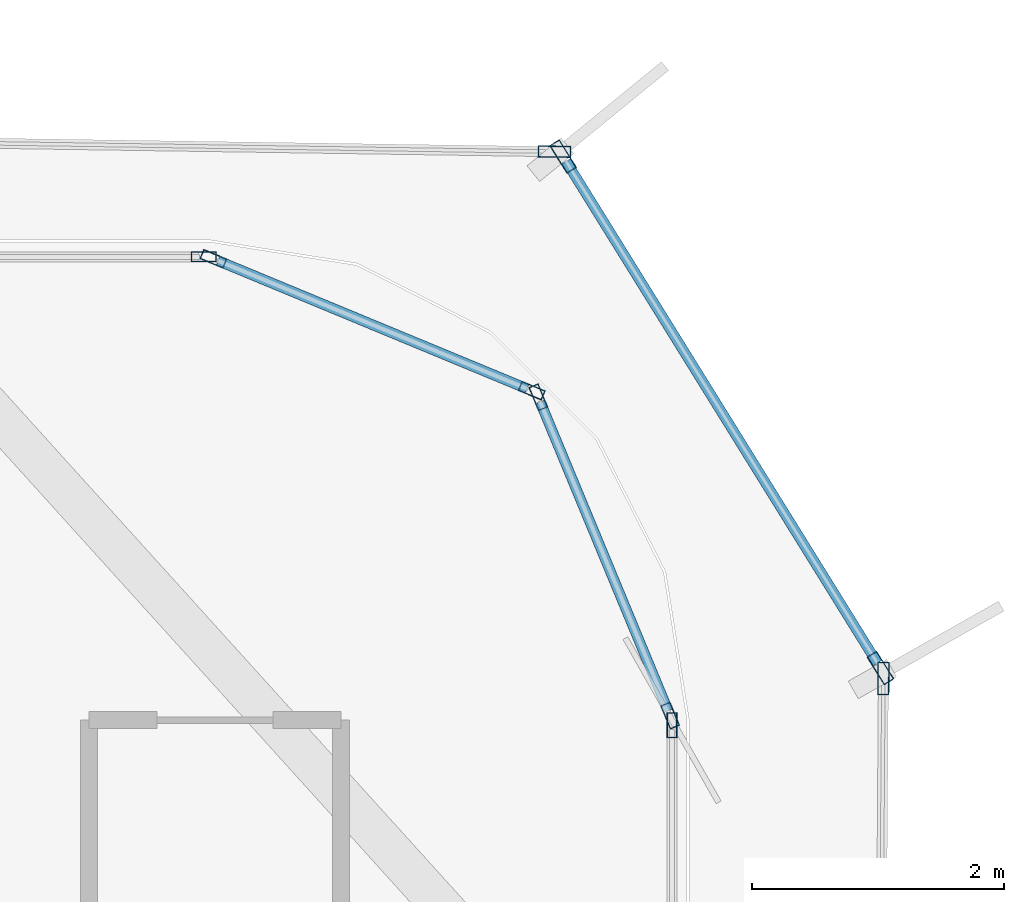
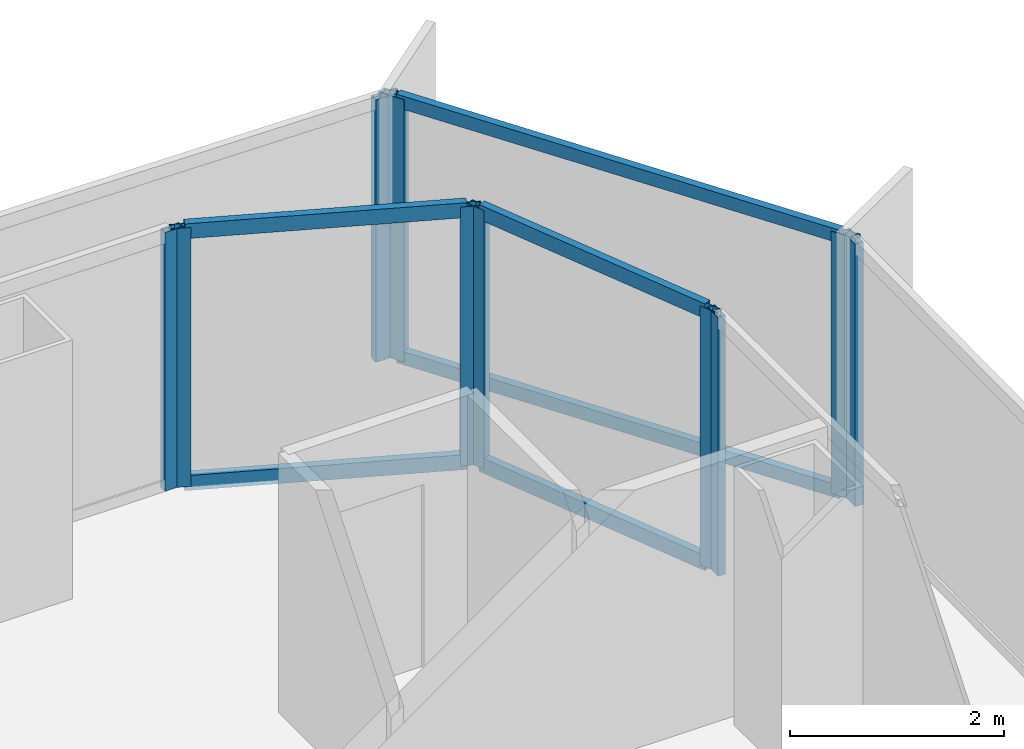
# One storey, part 14 of 21: 16 members, 7 elements without a shape of their own.
"""IFC4 building model written with IfcOpenShell, lengths in metres."""

from ifc_helpers import new_model, si_unit, direction, frame, origin, origin_2d, place, context, subcontext, project, spatial, hollow_rectangle, extrude, source, transform, mapped, material, layer, layer_set, material_profile, profile_set, type_object, element, aggregate, save


model = new_model("IFC4")

# Units and contexts
model_context = context("Model", 3, precision=1e-05, world=origin(), true_north=direction((0.0, 1.0)))
body_context = subcontext(model_context, "Body", "Model", "MODEL_VIEW")
ifc_project = project(units=[si_unit("LENGTHUNIT", "METRE"), si_unit("AREAUNIT", "SQUARE_METRE"), si_unit("VOLUMEUNIT", "CUBIC_METRE"), si_unit("PLANEANGLEUNIT", "RADIAN"), si_unit("MASSUNIT", "GRAM", prefix="KILO")], contexts=[model_context])

# Site, building, storey
site_placement = place(None, origin())
site = spatial("IfcSite", under=ifc_project, at=site_placement, CompositionType="ELEMENT")
building_placement = place(site_placement, origin())
building = spatial("IfcBuilding", under=site, at=building_placement, Name="Kolveth Station Tower", CompositionType="ELEMENT")
storey_placement = place(building_placement, frame((0.0, 0.0, 127.89990234375)))
storey = spatial("IfcBuildingStorey", under=building, at=storey_placement, Name="L35", CompositionType="ELEMENT", Elevation=127.89990234375)

# Curtain wall, members
ifc_material_1 = material(Name="Aluminium 6063-T6 and low-E dark glass", Category="aluminium")
ifc_layer_1 = layer(ifc_material_1, 0.18994140625)
ifc_layer_set_1 = layer_set([ifc_layer_1], Name="Aluminium 6063-T6 and low-E dark glass")
curtain_wall_type_1 = type_object("IfcCurtainWallType", Name="CurtainWall_CW-Z2", PredefinedType="NOTDEFINED", material=ifc_layer_set_1)
curtain_wall_1_placement = place(storey_placement, origin())
curtain_wall_1 = element("IfcCurtainWall", 1, at=curtain_wall_1_placement, inside=storey, type_object=curtain_wall_type_1, Name="L35 Inner Thermal Curtain Wall 4", PredefinedType="NOTDEFINED")
ifc_material_2 = material(Name="Black anodized aluminium 6063-T6", Category="aluminium")
ifc_material_profile_1 = material_profile(ifc_material_2, hollow_rectangle(XDim=0.080078125, YDim=0.169921875, WallThickness=0.0048828125, at=origin_2d()), Name="ALU-80x170x5")
ifc_profile_set_1 = profile_set([ifc_material_profile_1], Name="Black anodized aluminium 6063-T6")
member_type_1 = type_object("IfcMemberType", Name="Transom_TR2", PredefinedType="USERDEFINED", material=ifc_profile_set_1)
shared_shape_1 = source(origin(), body_context, "Body", "SweptSolid", [
    extrude(hollow_rectangle(XDim=0.080078125, YDim=0.169921875, WallThickness=0.0048828125, at=origin_2d()), origin(), (0.0, 0.0, 1.0), 2.656494140625),
])
member_1_placement = place(storey_placement, frame((46.849365234375, 31.573974609375, 0.0400390625), z_axis=(-0.382676455475, 0.923882422403, 0.0), x_axis=(-0.923882422403, -0.382676455475, 0.0)))
member_1 = element("IfcMember", 2, at=member_1_placement, type_object=member_type_1, Name="CW-Z2 transom 1.1", ObjectType="TRANSOM", PredefinedType="USERDEFINED", context=body_context, shape_type="MappedRepresentation", body=[
    mapped(shared_shape_1, transform((0.0, 0.0, 0.0), x_axis=(1.0, 0.0, 0.0), y_axis=(0.0, 1.0, 0.0), z_axis=(0.0, 0.0, 1.0), scale=1.0)),
])
member_2_placement = place(storey_placement, frame((46.849365234375, 31.573974609375, 2.91015625), z_axis=(-0.382676455475, 0.923882422403, 0.0), x_axis=(-0.923882422403, -0.382676455475, 0.0)))
member_2 = element("IfcMember", 3, at=member_2_placement, type_object=member_type_1, Name="CW-Z2 transom 1.2", ObjectType="TRANSOM", PredefinedType="USERDEFINED", context=body_context, shape_type="MappedRepresentation", body=[
    mapped(shared_shape_1, transform((0.0, 0.0, 0.0), x_axis=(1.0, 0.0, 0.0), y_axis=(0.0, 1.0, 0.0), z_axis=(0.0, 0.0, 1.0), scale=1.0)),
])

curtain_wall_2_placement = place(storey_placement, origin())
curtain_wall_2 = element("IfcCurtainWall", 4, at=curtain_wall_2_placement, inside=storey, type_object=curtain_wall_type_1, Name="L35 Inner Thermal Curtain Wall 5", PredefinedType="NOTDEFINED")
member_3_placement = place(storey_placement, frame((45.728271484375, 34.1328125, 0.0400390625), z_axis=(-0.923882422403, 0.382676455475, 0.0), x_axis=(-0.382676455475, -0.923882422403, 0.0)))
member_3 = element("IfcMember", 5, at=member_3_placement, type_object=member_type_1, Name="CW-Z2 transom 1.1", ObjectType="TRANSOM", PredefinedType="USERDEFINED", context=body_context, shape_type="MappedRepresentation", body=[
    mapped(shared_shape_1, transform((0.0, 0.0, 0.0), x_axis=(1.0, 0.0, 0.0), y_axis=(0.0, 1.0, 0.0), z_axis=(0.0, 0.0, 1.0), scale=1.0)),
])
member_4_placement = place(storey_placement, frame((45.728271484375, 34.1328125, 2.91015625), z_axis=(-0.923882422403, 0.382676455475, 0.0), x_axis=(-0.382676455475, -0.923882422403, 0.0)))
member_4 = element("IfcMember", 6, at=member_4_placement, type_object=member_type_1, Name="CW-Z2 transom 1.2", ObjectType="TRANSOM", PredefinedType="USERDEFINED", context=body_context, shape_type="MappedRepresentation", body=[
    mapped(shared_shape_1, transform((0.0, 0.0, 0.0), x_axis=(1.0, 0.0, 0.0), y_axis=(0.0, 1.0, 0.0), z_axis=(0.0, 0.0, 1.0), scale=1.0)),
])

# Curtain wall, member
ifc_material_3 = material(Name="Black anodized aluminium 6063-T6 and dark solar glass", Category="aluminium")
ifc_layer_2 = layer(ifc_material_3, 0.159912109375)
ifc_layer_set_2 = layer_set([ifc_layer_2], Name="Black anodized aluminium 6063-T6 and dark solar glass")
curtain_wall_type_2 = type_object("IfcCurtainWallType", Name="OUTER SKIN CW-OS", PredefinedType="NOTDEFINED", material=ifc_layer_set_2)
curtain_wall_3_placement = place(storey_placement, origin())
curtain_wall_3 = element("IfcCurtainWall", 7, at=curtain_wall_3_placement, inside=storey, type_object=curtain_wall_type_2, Name="L35 Outer Ventilated Skin Curtain Wall 2", PredefinedType="NOTDEFINED")
ifc_material_profile_2 = material_profile(ifc_material_2, hollow_rectangle(XDim=0.090087890625, YDim=0.260009765625, WallThickness=0.0048828125, at=origin_2d()), Name="ALU-90x260x5")
ifc_profile_set_2 = profile_set([ifc_material_profile_2], Name="Black anodized aluminium 6063-T6")
member_type_2 = type_object("IfcMemberType", Name="FIN MULLION ML-OS", PredefinedType="MULLION", material=ifc_profile_set_2)
shared_shape_2 = source(origin(), body_context, "Body", "SweptSolid", [
    extrude(hollow_rectangle(XDim=0.090087890625, YDim=0.260009765625, WallThickness=0.0048828125, at=origin_2d()), origin(), (0.0, 0.0, 1.0), 2.989990234375),
])
member_5_placement = place(storey_placement, frame((48.55908203125, 31.8310546875, 0.0), z_axis=(0.0, 0.0, 1.0), x_axis=(-0.999973559022, 0.007271949946, 0.0)))
member_5 = element("IfcMember", 8, at=member_5_placement, type_object=member_type_2, Name="CW-OS mullion 2", PredefinedType="MULLION", context=body_context, shape_type="MappedRepresentation", body=[
    mapped(shared_shape_2, transform((0.0, 0.0, 0.0), x_axis=(1.0, 0.0, 0.0), y_axis=(0.0, 1.0, 0.0), z_axis=(0.0, 0.0, 1.0), scale=1.0)),
])
aggregate(curtain_wall_3, [member_5])

# Curtain wall, members
curtain_wall_4_placement = place(storey_placement, origin())
curtain_wall_4 = element("IfcCurtainWall", 9, at=curtain_wall_4_placement, inside=storey, type_object=curtain_wall_type_2, Name="L35 Outer Ventilated Skin Curtain Wall 3", PredefinedType="NOTDEFINED")
member_6_placement = place(storey_placement, frame((48.53564453125, 31.914306640625, 0.0), z_axis=(0.0, 0.0, 1.0), x_axis=(-0.849719134447, -0.527235613891, 0.0)))
member_6 = element("IfcMember", 10, at=member_6_placement, type_object=member_type_2, Name="CW-OS mullion 1", PredefinedType="MULLION", context=body_context, shape_type="MappedRepresentation", body=[
    mapped(shared_shape_2, transform((0.0, 0.0, 0.0), x_axis=(1.0, 0.0, 0.0), y_axis=(0.0, 1.0, 0.0), z_axis=(0.0, 0.0, 1.0), scale=1.0)),
])
member_7_placement = place(storey_placement, frame((46.014892578125, 35.97705078125, 0.0), z_axis=(0.0, 0.0, 1.0), x_axis=(-0.849719134447, -0.527235613891, 0.0)))
member_7 = element("IfcMember", 11, at=member_7_placement, type_object=member_type_2, Name="CW-OS mullion 2", PredefinedType="MULLION", context=body_context, shape_type="MappedRepresentation", body=[
    mapped(shared_shape_2, transform((0.0, 0.0, 0.0), x_axis=(1.0, 0.0, 0.0), y_axis=(0.0, 1.0, 0.0), z_axis=(0.0, 0.0, 1.0), scale=1.0)),
])

# Curtain wall, member
curtain_wall_5_placement = place(storey_placement, origin())
curtain_wall_5 = element("IfcCurtainWall", 12, at=curtain_wall_5_placement, inside=storey, type_object=curtain_wall_type_2, Name="L35 Outer Ventilated Skin Curtain Wall 4", PredefinedType="NOTDEFINED")
member_8_placement = place(storey_placement, frame((45.946044921875, 36.015869140625, 0.0), z_axis=(0.0, 0.0, 1.0), x_axis=(-0.014845218386, -0.999889803674, 0.0)))
member_8 = element("IfcMember", 13, at=member_8_placement, type_object=member_type_2, Name="CW-OS mullion 1", PredefinedType="MULLION", context=body_context, shape_type="MappedRepresentation", body=[
    mapped(shared_shape_2, transform((0.0, 0.0, 0.0), x_axis=(1.0, 0.0, 0.0), y_axis=(0.0, 1.0, 0.0), z_axis=(0.0, 0.0, 1.0), scale=1.0)),
])
aggregate(curtain_wall_5, [member_8])

curtain_wall_6_placement = place(storey_placement, origin())
curtain_wall_6 = element("IfcCurtainWall", 14, at=curtain_wall_6_placement, inside=storey, type_object=curtain_wall_type_1, Name="L35 Inner Thermal Curtain Wall 3", PredefinedType="NOTDEFINED")
ifc_material_profile_3 = material_profile(ifc_material_2, hollow_rectangle(XDim=0.080078125, YDim=0.199951171875, WallThickness=0.0048828125, at=origin_2d()), Name="ALU-80x200x5")
ifc_profile_set_3 = profile_set([ifc_material_profile_3], Name="Black anodized aluminium 6063-T6")
member_type_3 = type_object("IfcMemberType", Name="Mullion_ML2", PredefinedType="MULLION", material=ifc_profile_set_3)
shared_shape_3 = source(origin(), body_context, "Body", "SweptSolid", [
    extrude(hollow_rectangle(XDim=0.080078125, YDim=0.199951171875, WallThickness=0.0048828125, at=origin_2d()), origin(), (0.0, 0.0, 1.0), 2.9501953125),
])
member_9_placement = place(storey_placement, frame((46.8798828125, 31.4599609375, 0.0), z_axis=(0.0, 0.0, 1.0), x_axis=(-1.0, 0.0, 0.0)))
member_9 = element("IfcMember", 15, at=member_9_placement, type_object=member_type_3, Name="CW-Z2 mullion 2", PredefinedType="MULLION", context=body_context, shape_type="MappedRepresentation", body=[
    mapped(shared_shape_3, transform((0.0, 0.0, 0.0), x_axis=(1.0, 0.0, 0.0), y_axis=(0.0, 1.0, 0.0), z_axis=(0.0, 0.0, 1.0), scale=1.0)),
])
aggregate(curtain_wall_6, [member_9])

# Member
member_10_placement = place(storey_placement, frame((46.86474609375, 31.536865234375, 0.0), z_axis=(0.0, 0.0, 1.0), x_axis=(-0.923887883787, -0.38266326998, 0.0)))
member_10 = element("IfcMember", 16, at=member_10_placement, type_object=member_type_3, Name="CW-Z2 mullion 1", PredefinedType="MULLION", context=body_context, shape_type="MappedRepresentation", body=[
    mapped(shared_shape_3, transform((0.0, 0.0, 0.0), x_axis=(1.0, 0.0, 0.0), y_axis=(0.0, 1.0, 0.0), z_axis=(0.0, 0.0, 1.0), scale=1.0)),
])

member_11_placement = place(storey_placement, frame((45.817626953125, 34.065185546875, 0.0), z_axis=(0.0, 0.0, 1.0), x_axis=(-0.923887883787, -0.38266326998, 0.0)))
member_11 = element("IfcMember", 17, at=member_11_placement, type_object=member_type_3, Name="CW-Z2 mullion 2", PredefinedType="MULLION", context=body_context, shape_type="MappedRepresentation", body=[
    mapped(shared_shape_3, transform((0.0, 0.0, 0.0), x_axis=(1.0, 0.0, 0.0), y_axis=(0.0, 1.0, 0.0), z_axis=(0.0, 0.0, 1.0), scale=1.0)),
])

aggregate(curtain_wall_1, [member_10, member_11, member_1, member_2])

member_12_placement = place(storey_placement, frame((45.76513671875, 34.117431640625, 0.0), z_axis=(0.0, 0.0, 1.0), x_axis=(-0.38266326998, -0.923887883787, 0.0)))
member_12 = element("IfcMember", 18, at=member_12_placement, type_object=member_type_3, Name="CW-Z2 mullion 1", PredefinedType="MULLION", context=body_context, shape_type="MappedRepresentation", body=[
    mapped(shared_shape_3, transform((0.0, 0.0, 0.0), x_axis=(1.0, 0.0, 0.0), y_axis=(0.0, 1.0, 0.0), z_axis=(0.0, 0.0, 1.0), scale=1.0)),
])

member_13_placement = place(storey_placement, frame((43.237060546875, 35.164794921875, 0.0), z_axis=(0.0, 0.0, 1.0), x_axis=(-0.38266326998, -0.923887883787, 0.0)))
member_13 = element("IfcMember", 19, at=member_13_placement, type_object=member_type_3, Name="CW-Z2 mullion 2", PredefinedType="MULLION", context=body_context, shape_type="MappedRepresentation", body=[
    mapped(shared_shape_3, transform((0.0, 0.0, 0.0), x_axis=(1.0, 0.0, 0.0), y_axis=(0.0, 1.0, 0.0), z_axis=(0.0, 0.0, 1.0), scale=1.0)),
])

aggregate(curtain_wall_2, [member_12, member_13, member_3, member_4])

# Curtain wall, member
curtain_wall_7_placement = place(storey_placement, origin())
curtain_wall_7 = element("IfcCurtainWall", 20, at=curtain_wall_7_placement, inside=storey, type_object=curtain_wall_type_1, Name="L35 Inner Thermal Curtain Wall 6", PredefinedType="NOTDEFINED")
member_14_placement = place(storey_placement, frame((43.159912109375, 35.179931640625, 0.0), z_axis=(0.0, 0.0, 1.0), x_axis=(0.0, -1.0, 0.0)))
member_14 = element("IfcMember", 21, at=member_14_placement, type_object=member_type_3, Name="CW-Z2 mullion 1", PredefinedType="MULLION", context=body_context, shape_type="MappedRepresentation", body=[
    mapped(shared_shape_3, transform((0.0, 0.0, 0.0), x_axis=(1.0, 0.0, 0.0), y_axis=(0.0, 1.0, 0.0), z_axis=(0.0, 0.0, 1.0), scale=1.0)),
])
aggregate(curtain_wall_7, [member_14])

# Member
ifc_material_profile_4 = material_profile(ifc_material_2, hollow_rectangle(XDim=0.080078125, YDim=0.14990234375, WallThickness=0.0048828125, at=origin_2d()), Name="ALU-80x150x5")
ifc_profile_set_4 = profile_set([ifc_material_profile_4], Name="Black anodized aluminium 6063-T6")
member_type_4 = type_object("IfcMemberType", Name="Transom_TR-OS", PredefinedType="USERDEFINED", material=ifc_profile_set_4)
shared_shape_4 = source(origin(), body_context, "Body", "SweptSolid", [
    extrude(hollow_rectangle(XDim=0.080078125, YDim=0.14990234375, WallThickness=0.0048828125, at=origin_2d()), origin(), (0.0, 0.0, 1.0), 4.69140625),
])
member_15_placement = place(storey_placement, frame((48.511962890625, 31.952392578125, 0.0400390625), z_axis=(-0.527226833832, 0.849724582254, 0.0), x_axis=(-0.849724582254, -0.527226833832, 0.0)))
member_15 = element("IfcMember", 22, at=member_15_placement, type_object=member_type_4, Name="CW-OS transom 1.1", ObjectType="TRANSOM", PredefinedType="USERDEFINED", context=body_context, shape_type="MappedRepresentation", body=[
    mapped(shared_shape_4, transform((0.0, 0.0, 0.0), x_axis=(1.0, 0.0, 0.0), y_axis=(0.0, 1.0, 0.0), z_axis=(0.0, 0.0, 1.0), scale=1.0)),
])

member_16_placement = place(storey_placement, frame((48.511962890625, 31.952392578125, 2.9501953125), z_axis=(-0.527226833832, 0.849724582254, 0.0), x_axis=(-0.849724582254, -0.527226833832, 0.0)))
member_16 = element("IfcMember", 23, at=member_16_placement, type_object=member_type_4, Name="CW-OS transom 1.2", ObjectType="TRANSOM", PredefinedType="USERDEFINED", context=body_context, shape_type="MappedRepresentation", body=[
    mapped(shared_shape_4, transform((0.0, 0.0, 0.0), x_axis=(1.0, 0.0, 0.0), y_axis=(0.0, 1.0, 0.0), z_axis=(0.0, 0.0, 1.0), scale=1.0)),
])

aggregate(curtain_wall_4, [member_6, member_7, member_15, member_16])

save(model, "model.ifc")
